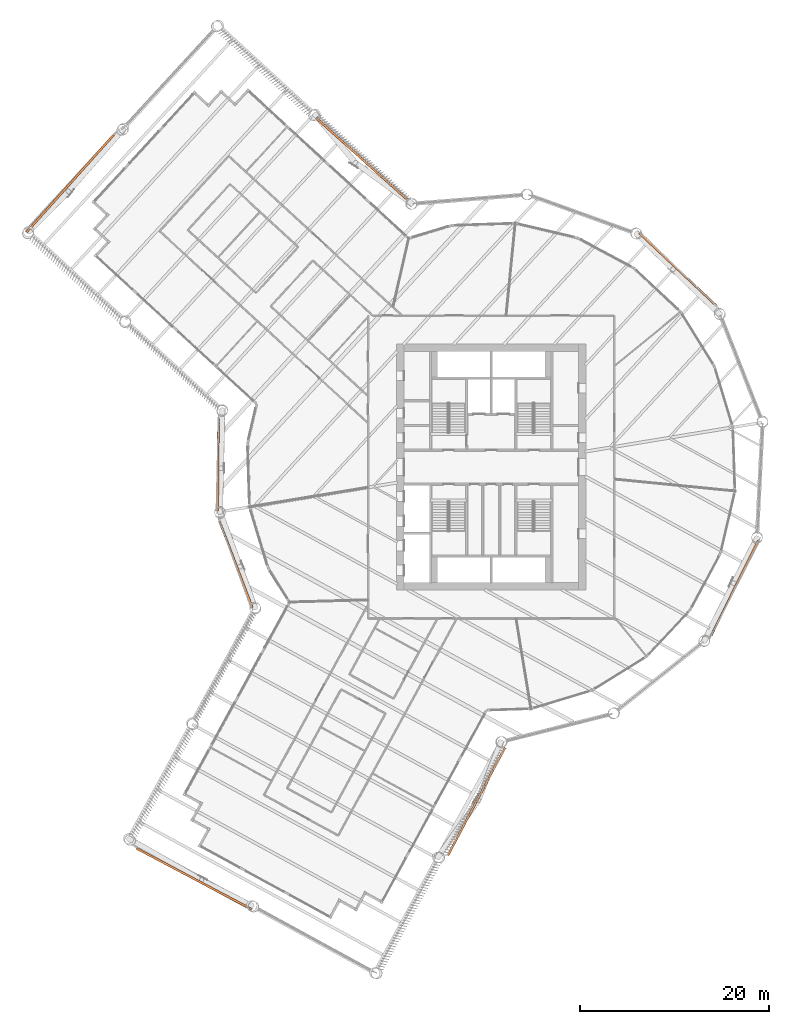
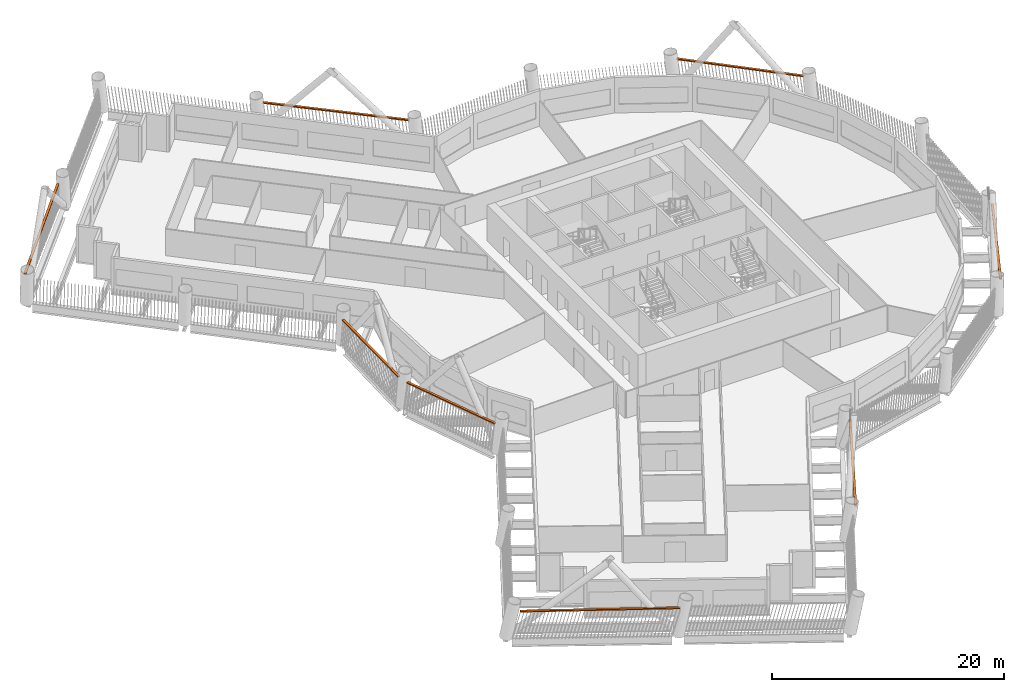
# One storey, part 24 of 24: 8 proxies.
"""IFC4 building model written with IfcOpenShell, lengths in metres."""

import ifcopenshell
import ifcopenshell.guid

model = None  # the IFC model being written
_history = None  # IfcOwnerHistory: only IFC2X3 demands one
_inside = {}  # id of a spatial element -> (the spatial element, [elements in it])
_under = {}  # id of a project, library or spatial element -> (it, [spatial elements below it])
_declared = {}  # id of a project -> (the project, [libraries it declares])
_typed = {}  # id of a type object -> (the type object, [elements of that type])
_made_of = {}  # id of a material, layer set ... -> (it, [elements and type objects made of it])


def new_model(schema):
    """Start an empty IFC model of exactly this schema.

    Asked for "IFC4X3", IfcOpenShell would pick the latest addendum, in which some entities
    have other attributes; the version numbers below select the first issue.
    IFC2X3 requires an IfcOwnerHistory on every rooted entity: one is made here for all.
    """
    global model, _history
    if schema == "IFC4X3":
        model = ifcopenshell.file(schema_version=(4, 3, 0, 0))
    else:
        model = ifcopenshell.file(schema=schema)
    _inside.clear()
    _under.clear()
    _declared.clear()
    _typed.clear()
    _made_of.clear()
    _history = None
    if model.schema == "IFC2X3":
        org = make("IfcOrganization", Name="unknown")
        user = make(
            "IfcPersonAndOrganization",
            ThePerson=make("IfcPerson", FamilyName="unknown"),
            TheOrganization=org,
        )
        app = make(
            "IfcApplication",
            ApplicationDeveloper=org,
            Version="unknown",
            ApplicationFullName="unknown",
            ApplicationIdentifier="unknown",
        )
        _history = make(
            "IfcOwnerHistory",
            OwningUser=user,
            OwningApplication=app,
            ChangeAction="ADDED",
            CreationDate=0,
        )
    return model


def make(cls, **values):
    """One entity of the class cls with the attributes given. An attribute that is None is left unset."""
    return model.create_entity(
        cls, **{name: value for name, value in values.items() if value is not None}
    )


def rooted(cls, **values):
    """An entity with a GlobalId (a new one), such as an element, a storey or a relation."""
    return make(cls, GlobalId=ifcopenshell.guid.new(), OwnerHistory=_history, **values)


def si_unit(unit_type, name, prefix=None):
    """IfcSIUnit, for example si_unit("LENGTHUNIT", "METRE", prefix="MILLI")."""
    return make("IfcSIUnit", UnitType=unit_type, Prefix=prefix, Name=name)


def assignment(units):
    """IfcUnitAssignment: the units of a project."""
    return None if units is None else make("IfcUnitAssignment", Units=units)


def point(xyz):
    """IfcCartesianPoint."""
    return None if xyz is None else make("IfcCartesianPoint", Coordinates=xyz)


def direction(xyz):
    """IfcDirection."""
    return None if xyz is None else make("IfcDirection", DirectionRatios=xyz)


def frame(location, z_axis=None, x_axis=None):
    """IfcAxis2Placement3D, a coordinate frame: its origin and axes. An axis left out is left unset."""
    return make(
        "IfcAxis2Placement3D",
        Location=point(location),
        Axis=direction(z_axis),
        RefDirection=direction(x_axis),
    )


def frame_2d(location, x_axis=None):
    """IfcAxis2Placement2D, a coordinate frame in the plane: its origin and x axis."""
    return make(
        "IfcAxis2Placement2D", Location=point(location), RefDirection=direction(x_axis)
    )


def origin():
    """The frame at (0, 0, 0) with its axes left unset."""
    return frame((0.0, 0.0, 0.0))


def origin_2d():
    """The frame at (0, 0) in the plane with its x axis left unset."""
    return frame_2d((0.0, 0.0))


def place(relative_to, where):
    """IfcLocalPlacement: puts the frame where relative to a parent placement (None: the world)."""
    return make(
        "IfcLocalPlacement", PlacementRelTo=relative_to, RelativePlacement=where
    )


def context(
    kind, dimensions, precision=None, world=None, true_north=None, identifier=None
):
    """IfcGeometricRepresentationContext, for example the 3D "Model" context."""
    return make(
        "IfcGeometricRepresentationContext",
        ContextIdentifier=identifier,
        ContextType=kind,
        CoordinateSpaceDimension=dimensions,
        Precision=precision,
        WorldCoordinateSystem=world,
        TrueNorth=true_north,
    )


def subcontext(parent, identifier, kind, view, scale=None):
    """IfcGeometricRepresentationSubContext, for example "Body" below "Model"."""
    return make(
        "IfcGeometricRepresentationSubContext",
        ContextIdentifier=identifier,
        ContextType=kind,
        ParentContext=parent,
        TargetScale=scale,
        TargetView=view,
    )


def project(units=None, contexts=None):
    """IfcProject with its units and contexts."""
    return rooted(
        "IfcProject",
        Name="project",
        RepresentationContexts=contexts,
        UnitsInContext=assignment(units),
    )


def spatial(cls, under=None, at=None, **own):
    """A site, building, storey or space (cls), placed at a placement, below another one or the project."""
    s = rooted(cls, ObjectPlacement=at, **own)
    if under is not None:
        _under.setdefault(under.id(), (under, []))[1].append(s)
    return s


def profile(cls, at=None, kind="AREA", **sizes):
    """A parametric profile (cls). Its sizes go by their IFC names, for example OverallWidth=200.0."""
    return make(cls, ProfileType=kind, Position=at, **sizes)


def rectangle(**sizes):
    """IfcRectangleProfileDef."""
    return profile("IfcRectangleProfileDef", **sizes)


def extrude(swept, where, along, depth):
    """IfcExtrudedAreaSolid: the profile swept, set in the frame where, extruded along a direction by depth."""
    return make(
        "IfcExtrudedAreaSolid",
        SweptArea=swept,
        Position=where,
        ExtrudedDirection=direction(along),
        Depth=depth,
    )


def shape(context_of_items, identifier, shape_type, items):
    """IfcShapeRepresentation: the items that make up one representation, for example the "Body"."""
    return make(
        "IfcShapeRepresentation",
        ContextOfItems=context_of_items,
        RepresentationIdentifier=identifier,
        RepresentationType=shape_type,
        Items=items,
    )


def material(Name=None, Category=None):
    """IfcMaterial."""
    return make("IfcMaterial", Name=Name, Category=Category)


def made_of(thing, what):
    """Note that an element or type object is made of a material, layer set ...; save() writes the relation."""
    if what is not None:
        _made_of.setdefault(what.id(), (what, []))[1].append(thing)
    return thing


def type_object(cls, material=None, **own):
    """A type object (cls), such as IfcWallType, which elements share."""
    return made_of(rooted(cls, **own), material)


def element(
    cls,
    number,
    at=None,
    inside=None,
    cuts=None,
    type_object=None,
    material=None,
    context=None,
    identifier="Body",
    shape_type=None,
    held_by="IfcProductDefinitionShape",
    body=None,
    shapes=None,
    **own,
):
    """One element of the class cls, such as IfcWall. Its Tag is "e" and its number.

    at: its placement. inside: the storey or other place that contains it. cuts: it is an
    opening in that element (IfcRelVoidsElement). A single representation is given by context,
    identifier, shape_type and body (its items); several are given by shapes. held_by: the class
    of the entity that holds the representations. save() writes the other relations.
    """
    e = rooted(cls, Tag="e%d" % number, ObjectPlacement=at, **own)
    if body is not None:
        shapes = [shape(context, identifier, shape_type, body)]
    if shapes is not None:
        e.Representation = make(held_by, Representations=shapes)
    if inside is not None:
        _inside.setdefault(inside.id(), (inside, []))[1].append(e)
    if cuts is not None:
        rooted(
            "IfcRelVoidsElement", RelatingBuildingElement=cuts, RelatedOpeningElement=e
        )
    if type_object is not None:
        _typed.setdefault(type_object.id(), (type_object, []))[1].append(e)
    return made_of(e, material)


def aggregate(whole, parts):
    """IfcRelAggregates: a whole, such as a stair, and the parts it consists of."""
    return rooted("IfcRelAggregates", RelatingObject=whole, RelatedObjects=parts)


def save(model, path):
    """Write the relations noted so far, then the file.

    IfcRelAggregates (storeys below a building ...), IfcRelContainedInSpatialStructure (elements
    in a storey), IfcRelDefinesByType, IfcRelAssociatesMaterial and IfcRelDeclares: one each for
    every whole, place, type object, material and project.
    """
    for whole, parts in _under.values():
        aggregate(whole, parts)
    for where, things in _inside.values():
        rooted(
            "IfcRelContainedInSpatialStructure",
            RelatedElements=things,
            RelatingStructure=where,
        )
    for kind, things in _typed.values():
        rooted("IfcRelDefinesByType", RelatedObjects=things, RelatingType=kind)
    for what, things in _made_of.values():
        rooted("IfcRelAssociatesMaterial", RelatedObjects=things, RelatingMaterial=what)
    for by, libraries in _declared.values():
        rooted("IfcRelDeclares", RelatingContext=by, RelatedDefinitions=libraries)
    model.write(path)


model = new_model("IFC4")

# Units and contexts
model_context = context("Model", 3, precision=1e-05, world=origin(), true_north=direction((0.0, 1.0)))
body_context = subcontext(model_context, "Body", "Model", "MODEL_VIEW")
ifc_project = project(units=[si_unit("LENGTHUNIT", "METRE"), si_unit("AREAUNIT", "SQUARE_METRE"), si_unit("VOLUMEUNIT", "CUBIC_METRE"), si_unit("PLANEANGLEUNIT", "RADIAN"), si_unit("MASSUNIT", "GRAM", prefix="KILO")], contexts=[model_context])

# Site, building, storey
site_placement = place(None, origin())
site = spatial("IfcSite", under=ifc_project, at=site_placement, CompositionType="ELEMENT")
building_placement = place(site_placement, origin())
building = spatial("IfcBuilding", under=site, at=building_placement, Name="Tarsis Ring Headquarters", CompositionType="ELEMENT")
storey_placement = place(building_placement, frame((0.0, 0.0, 92.800048828125)))
storey = spatial("IfcBuildingStorey", under=building, at=storey_placement, Name="L20", CompositionType="ELEMENT", Elevation=92.800048828125)

# Proxies
ifc_material = material(Name="Structural steel S355", Category="steel")
building_element_proxy_type = type_object("IfcBuildingElementProxyType", Name="Screen bracket plate", PredefinedType="USERDEFINED", material=ifc_material)
proxy_1_placement = place(storey_placement, frame((-26.982421875, -10.26318359375, 2.952392578125), z_axis=(0.0, 0.0, 1.0), x_axis=(0.355514529606, -0.934670754458, 0.0)))
element("IfcBuildingElementProxy", 1, at=proxy_1_placement, inside=storey, type_object=building_element_proxy_type, Name="Screen bracket L20-00", ObjectType="Bracket", PredefinedType="USERDEFINED", context=body_context, shape_type="SweptSolid", body=[
    extrude(rectangle(XDim=9.771728515625, YDim=0.222900390625, at=origin_2d()), origin(), (0.0, 0.0, 1.0), 0.1201171875),
])
proxy_2_placement = place(storey_placement, frame((-31.36767578125, -43.508056640625, 2.952392578125), z_axis=(0.0, 0.0, 1.0), x_axis=(0.884092066862, -0.467312761768, 0.0)))
element("IfcBuildingElementProxy", 2, at=proxy_2_placement, inside=storey, type_object=building_element_proxy_type, Name="Screen bracket L20-03", ObjectType="Bracket", PredefinedType="USERDEFINED", context=body_context, shape_type="SweptSolid", body=[
    extrude(rectangle(XDim=13.800048828125, YDim=0.222900390625, at=origin_2d()), origin(), (0.0, 0.0, 1.0), 0.1201171875),
])
proxy_3_placement = place(storey_placement, frame((-1.558349609375, -35.311279296875, 2.952392578125), z_axis=(0.0, 0.0, 1.0), x_axis=(0.467312808059, 0.884092042394, 0.0)))
element("IfcBuildingElementProxy", 3, at=proxy_3_placement, inside=storey, type_object=building_element_proxy_type, Name="Screen bracket L20-06", ObjectType="Bracket", PredefinedType="USERDEFINED", context=body_context, shape_type="SweptSolid", body=[
    extrude(rectangle(XDim=12.90234375, YDim=0.222900390625, at=origin_2d()), origin(), (0.0, 0.0, 1.0), 0.1201171875),
])
for number, where, z_axis, x_axis, name in (
    (4, (25.72998046875, -12.7578125, 2.952392578125), (0.0, 0.0, 1.0), (0.444224638058, 0.895915437384, 0.0), "Screen bracket L20-09"),
    (5, (19.712890625, 20.885009765625, 2.952392578125), (0.0, 0.0, 1.0), (-0.7272187981, 0.686405725275, 0.0), "Screen bracket L20-12"),
):
    element("IfcBuildingElementProxy", number, at=place(storey_placement, frame(where, z_axis=z_axis, x_axis=x_axis)), inside=storey, type_object=building_element_proxy_type, Name=name, ObjectType="Bracket", PredefinedType="USERDEFINED", context=body_context, shape_type="SweptSolid", body=[
        extrude(rectangle(XDim=11.248779296875, YDim=0.222900390625, at=origin_2d()), origin(), (0.0, 0.0, 1.0), 0.1201171875),
    ])
proxy_4_placement = place(storey_placement, frame((-13.700927734375, 32.58203125, 2.952392578125), z_axis=(0.0, 0.0, 1.0), x_axis=(-0.744777611534, 0.667312752282, 0.0)))
element("IfcBuildingElementProxy", 6, at=proxy_4_placement, inside=storey, type_object=building_element_proxy_type, Name="Screen bracket L20-15", ObjectType="Bracket", PredefinedType="USERDEFINED", context=body_context, shape_type="SweptSolid", body=[
    extrude(rectangle(XDim=12.90234375, YDim=0.222900390625, at=origin_2d()), origin(), (0.0, 0.0, 1.0), 0.1201171875),
])
proxy_5_placement = place(storey_placement, frame((-44.50341796875, 29.938720703125, 2.952392578125), z_axis=(0.0, 0.0, 1.0), x_axis=(-0.66731277828, -0.74477758824, 0.0)))
element("IfcBuildingElementProxy", 7, at=proxy_5_placement, inside=storey, type_object=building_element_proxy_type, Name="Screen bracket L20-18", ObjectType="Bracket", PredefinedType="USERDEFINED", context=body_context, shape_type="SweptSolid", body=[
    extrude(rectangle(XDim=13.800048828125, YDim=0.222900390625, at=origin_2d()), origin(), (0.0, 0.0, 1.0), 0.1201171875),
])
proxy_6_placement = place(storey_placement, frame((-28.8671875, 0.274658203125, 2.952392578125), z_axis=(0.0, 0.0, 1.0), x_axis=(-0.009511569386, -0.999954764001, 0.0)))
element("IfcBuildingElementProxy", 8, at=proxy_6_placement, inside=storey, type_object=building_element_proxy_type, Name="Screen bracket L20-21", ObjectType="Bracket", PredefinedType="USERDEFINED", context=body_context, shape_type="SweptSolid", body=[
    extrude(rectangle(XDim=9.771728515625, YDim=0.222900390625, at=origin_2d()), origin(), (0.0, 0.0, 1.0), 0.1201171875),
])

save(model, "model.ifc")
